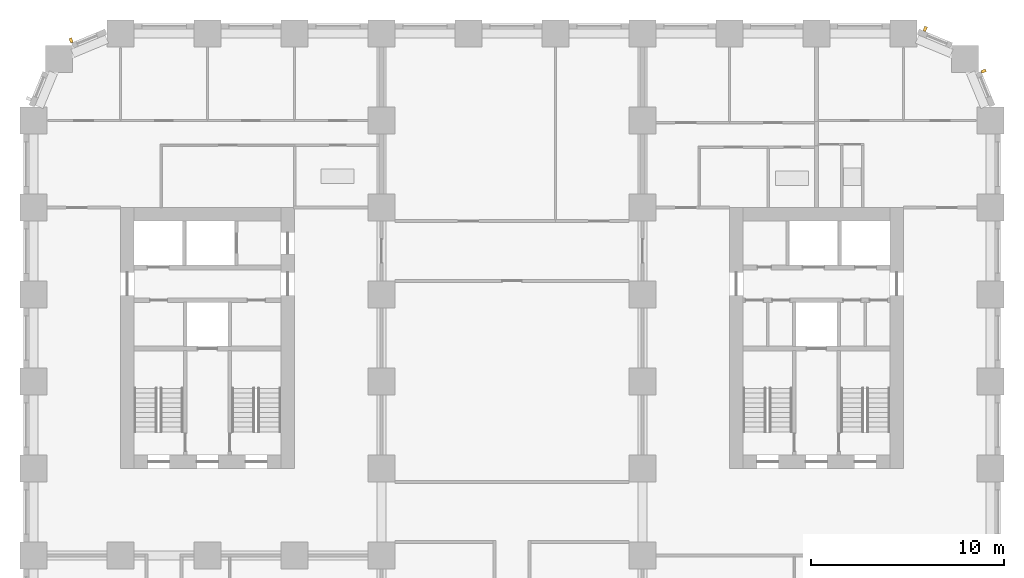
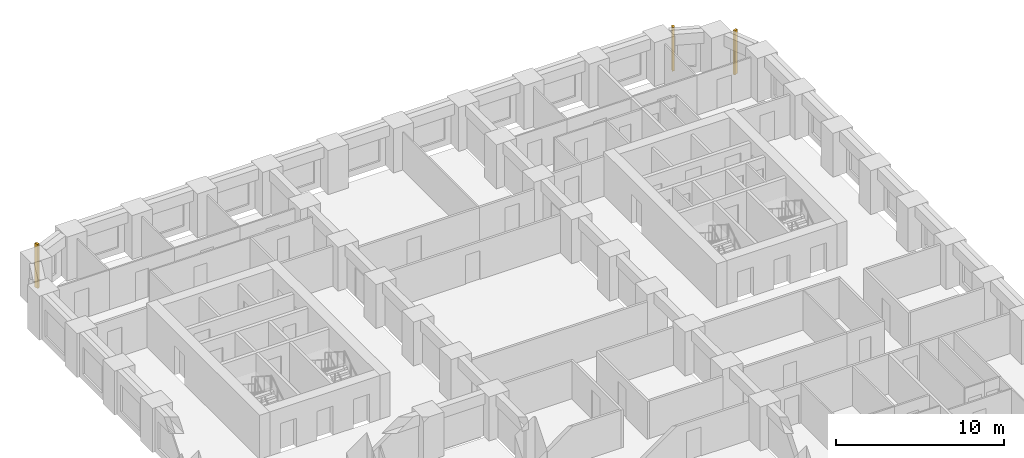
# One storey, part 11 of 12: 3 shading devices.
"""IFC4 building model written with IfcOpenShell, lengths in metres."""

import ifcopenshell
import ifcopenshell.guid

model = None  # the IFC model being written
_history = None  # IfcOwnerHistory: only IFC2X3 demands one
_inside = {}  # id of a spatial element -> (the spatial element, [elements in it])
_under = {}  # id of a project, library or spatial element -> (it, [spatial elements below it])
_declared = {}  # id of a project -> (the project, [libraries it declares])
_typed = {}  # id of a type object -> (the type object, [elements of that type])
_made_of = {}  # id of a material, layer set ... -> (it, [elements and type objects made of it])


def new_model(schema):
    """Start an empty IFC model of exactly this schema.

    Asked for "IFC4X3", IfcOpenShell would pick the latest addendum, in which some entities
    have other attributes; the version numbers below select the first issue.
    IFC2X3 requires an IfcOwnerHistory on every rooted entity: one is made here for all.
    """
    global model, _history
    if schema == "IFC4X3":
        model = ifcopenshell.file(schema_version=(4, 3, 0, 0))
    else:
        model = ifcopenshell.file(schema=schema)
    _inside.clear()
    _under.clear()
    _declared.clear()
    _typed.clear()
    _made_of.clear()
    _history = None
    if model.schema == "IFC2X3":
        org = make("IfcOrganization", Name="unknown")
        user = make(
            "IfcPersonAndOrganization",
            ThePerson=make("IfcPerson", FamilyName="unknown"),
            TheOrganization=org,
        )
        app = make(
            "IfcApplication",
            ApplicationDeveloper=org,
            Version="unknown",
            ApplicationFullName="unknown",
            ApplicationIdentifier="unknown",
        )
        _history = make(
            "IfcOwnerHistory",
            OwningUser=user,
            OwningApplication=app,
            ChangeAction="ADDED",
            CreationDate=0,
        )
    return model


def make(cls, **values):
    """One entity of the class cls with the attributes given. An attribute that is None is left unset."""
    return model.create_entity(
        cls, **{name: value for name, value in values.items() if value is not None}
    )


def rooted(cls, **values):
    """An entity with a GlobalId (a new one), such as an element, a storey or a relation."""
    return make(cls, GlobalId=ifcopenshell.guid.new(), OwnerHistory=_history, **values)


def si_unit(unit_type, name, prefix=None):
    """IfcSIUnit, for example si_unit("LENGTHUNIT", "METRE", prefix="MILLI")."""
    return make("IfcSIUnit", UnitType=unit_type, Prefix=prefix, Name=name)


def assignment(units):
    """IfcUnitAssignment: the units of a project."""
    return None if units is None else make("IfcUnitAssignment", Units=units)


def point(xyz):
    """IfcCartesianPoint."""
    return None if xyz is None else make("IfcCartesianPoint", Coordinates=xyz)


def direction(xyz):
    """IfcDirection."""
    return None if xyz is None else make("IfcDirection", DirectionRatios=xyz)


def frame(location, z_axis=None, x_axis=None):
    """IfcAxis2Placement3D, a coordinate frame: its origin and axes. An axis left out is left unset."""
    return make(
        "IfcAxis2Placement3D",
        Location=point(location),
        Axis=direction(z_axis),
        RefDirection=direction(x_axis),
    )


def frame_2d(location, x_axis=None):
    """IfcAxis2Placement2D, a coordinate frame in the plane: its origin and x axis."""
    return make(
        "IfcAxis2Placement2D", Location=point(location), RefDirection=direction(x_axis)
    )


def origin():
    """The frame at (0, 0, 0) with its axes left unset."""
    return frame((0.0, 0.0, 0.0))


def origin_2d():
    """The frame at (0, 0) in the plane with its x axis left unset."""
    return frame_2d((0.0, 0.0))


def place(relative_to, where):
    """IfcLocalPlacement: puts the frame where relative to a parent placement (None: the world)."""
    return make(
        "IfcLocalPlacement", PlacementRelTo=relative_to, RelativePlacement=where
    )


def context(
    kind, dimensions, precision=None, world=None, true_north=None, identifier=None
):
    """IfcGeometricRepresentationContext, for example the 3D "Model" context."""
    return make(
        "IfcGeometricRepresentationContext",
        ContextIdentifier=identifier,
        ContextType=kind,
        CoordinateSpaceDimension=dimensions,
        Precision=precision,
        WorldCoordinateSystem=world,
        TrueNorth=true_north,
    )


def subcontext(parent, identifier, kind, view, scale=None):
    """IfcGeometricRepresentationSubContext, for example "Body" below "Model"."""
    return make(
        "IfcGeometricRepresentationSubContext",
        ContextIdentifier=identifier,
        ContextType=kind,
        ParentContext=parent,
        TargetScale=scale,
        TargetView=view,
    )


def project(units=None, contexts=None):
    """IfcProject with its units and contexts."""
    return rooted(
        "IfcProject",
        Name="project",
        RepresentationContexts=contexts,
        UnitsInContext=assignment(units),
    )


def spatial(cls, under=None, at=None, **own):
    """A site, building, storey or space (cls), placed at a placement, below another one or the project."""
    s = rooted(cls, ObjectPlacement=at, **own)
    if under is not None:
        _under.setdefault(under.id(), (under, []))[1].append(s)
    return s


def profile(cls, at=None, kind="AREA", **sizes):
    """A parametric profile (cls). Its sizes go by their IFC names, for example OverallWidth=200.0."""
    return make(cls, ProfileType=kind, Position=at, **sizes)


def rectangle(**sizes):
    """IfcRectangleProfileDef."""
    return profile("IfcRectangleProfileDef", **sizes)


def extrude(swept, where, along, depth):
    """IfcExtrudedAreaSolid: the profile swept, set in the frame where, extruded along a direction by depth."""
    return make(
        "IfcExtrudedAreaSolid",
        SweptArea=swept,
        Position=where,
        ExtrudedDirection=direction(along),
        Depth=depth,
    )


def shape(context_of_items, identifier, shape_type, items):
    """IfcShapeRepresentation: the items that make up one representation, for example the "Body"."""
    return make(
        "IfcShapeRepresentation",
        ContextOfItems=context_of_items,
        RepresentationIdentifier=identifier,
        RepresentationType=shape_type,
        Items=items,
    )


def material(Name=None, Category=None):
    """IfcMaterial."""
    return make("IfcMaterial", Name=Name, Category=Category)


def made_of(thing, what):
    """Note that an element or type object is made of a material, layer set ...; save() writes the relation."""
    if what is not None:
        _made_of.setdefault(what.id(), (what, []))[1].append(thing)
    return thing


def type_object(cls, material=None, **own):
    """A type object (cls), such as IfcWallType, which elements share."""
    return made_of(rooted(cls, **own), material)


def element(
    cls,
    number,
    at=None,
    inside=None,
    cuts=None,
    type_object=None,
    material=None,
    context=None,
    identifier="Body",
    shape_type=None,
    held_by="IfcProductDefinitionShape",
    body=None,
    shapes=None,
    **own,
):
    """One element of the class cls, such as IfcWall. Its Tag is "e" and its number.

    at: its placement. inside: the storey or other place that contains it. cuts: it is an
    opening in that element (IfcRelVoidsElement). A single representation is given by context,
    identifier, shape_type and body (its items); several are given by shapes. held_by: the class
    of the entity that holds the representations. save() writes the other relations.
    """
    e = rooted(cls, Tag="e%d" % number, ObjectPlacement=at, **own)
    if body is not None:
        shapes = [shape(context, identifier, shape_type, body)]
    if shapes is not None:
        e.Representation = make(held_by, Representations=shapes)
    if inside is not None:
        _inside.setdefault(inside.id(), (inside, []))[1].append(e)
    if cuts is not None:
        rooted(
            "IfcRelVoidsElement", RelatingBuildingElement=cuts, RelatedOpeningElement=e
        )
    if type_object is not None:
        _typed.setdefault(type_object.id(), (type_object, []))[1].append(e)
    return made_of(e, material)


def aggregate(whole, parts):
    """IfcRelAggregates: a whole, such as a stair, and the parts it consists of."""
    return rooted("IfcRelAggregates", RelatingObject=whole, RelatedObjects=parts)


def save(model, path):
    """Write the relations noted so far, then the file.

    IfcRelAggregates (storeys below a building ...), IfcRelContainedInSpatialStructure (elements
    in a storey), IfcRelDefinesByType, IfcRelAssociatesMaterial and IfcRelDeclares: one each for
    every whole, place, type object, material and project.
    """
    for whole, parts in _under.values():
        aggregate(whole, parts)
    for where, things in _inside.values():
        rooted(
            "IfcRelContainedInSpatialStructure",
            RelatedElements=things,
            RelatingStructure=where,
        )
    for kind, things in _typed.values():
        rooted("IfcRelDefinesByType", RelatedObjects=things, RelatingType=kind)
    for what, things in _made_of.values():
        rooted("IfcRelAssociatesMaterial", RelatedObjects=things, RelatingMaterial=what)
    for by, libraries in _declared.values():
        rooted("IfcRelDeclares", RelatingContext=by, RelatedDefinitions=libraries)
    model.write(path)


model = new_model("IFC4")

# Units and contexts
model_context = context("Model", 3, precision=1e-05, world=origin(), true_north=direction((0.0, 1.0)))
body_context = subcontext(model_context, "Body", "Model", "MODEL_VIEW")
ifc_project = project(units=[si_unit("LENGTHUNIT", "METRE"), si_unit("AREAUNIT", "SQUARE_METRE"), si_unit("VOLUMEUNIT", "CUBIC_METRE"), si_unit("PLANEANGLEUNIT", "RADIAN"), si_unit("MASSUNIT", "GRAM", prefix="KILO")], contexts=[model_context])

# Site, building, storey
site_placement = place(None, origin())
site = spatial("IfcSite", under=ifc_project, at=site_placement, CompositionType="ELEMENT")
building_placement = place(site_placement, origin())
building = spatial("IfcBuilding", under=site, at=building_placement, Name="Girih Gate Residences", CompositionType="ELEMENT")
storey_placement = place(building_placement, frame((0.0, 0.0, 62.39990234375)))
storey = spatial("IfcBuildingStorey", under=building, at=storey_placement, Name="L16", CompositionType="ELEMENT", Elevation=62.39990234375)

# Shading devices
ifc_material = material(Name="Precast concrete C50/60", Category="concrete")
shading_device_type = type_object("IfcShadingDeviceType", Name="Corner rib 150x250", PredefinedType="USERDEFINED", material=ifc_material)
for number, where, z_axis, x_axis, name in (
    (1, (49.14501953125, 47.5556640625, 0.0), (0.0, 0.0, 1.0), (-0.382683432365, 0.923879532511, 0.0), "Corner rib NE0495_0450.0"),
    (2, (46.123779296875, 49.738037109375, 0.0), (0.0, 0.0, 1.0), (-0.923879532511, 0.382683432365, 0.0), "Corner rib NE0482_0482.0"),
    (3, (1.9443359375, 49.14501953125, 0.0), (0.0, 0.0, 1.0), (-0.923879532511, -0.382683432365, 0.0), "Corner rib NW0045_0495.0"),
):
    element("IfcShadingDevice", number, at=place(storey_placement, frame(where, z_axis=z_axis, x_axis=x_axis)), inside=storey, type_object=shading_device_type, Name=name, ObjectType="FIN", PredefinedType="USERDEFINED", context=body_context, shape_type="SweptSolid", body=[
        extrude(rectangle(XDim=0.14990234375, YDim=0.25, at=origin_2d()), origin(), (0.0, 0.0, 1.0), 3.199951171875),
    ])

save(model, "model.ifc")
